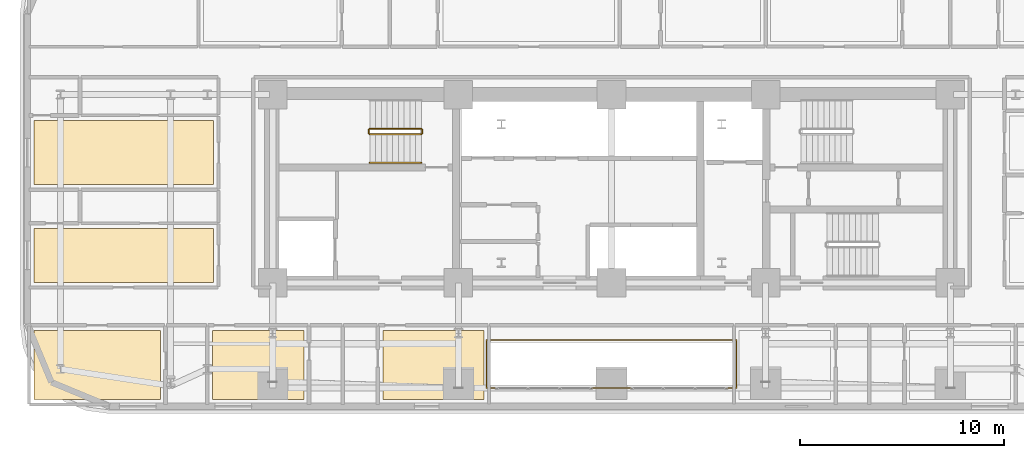
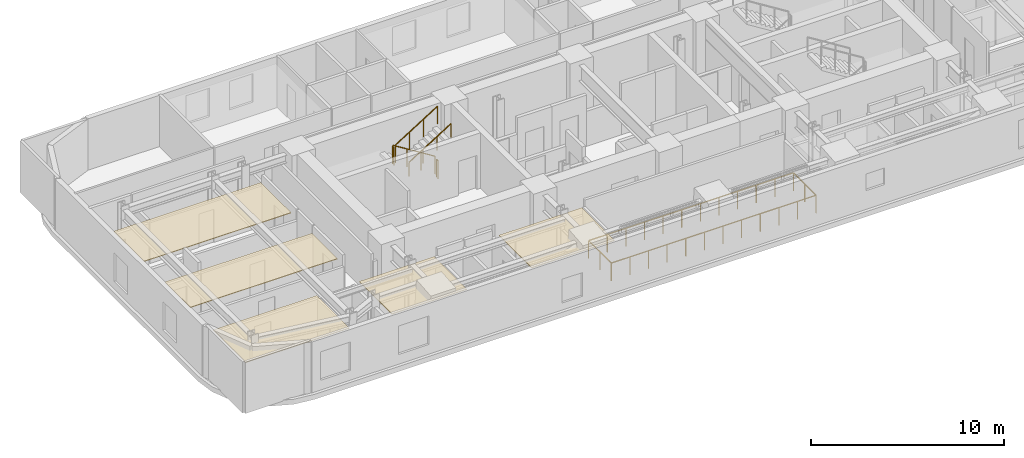
# One storey, part 13 of 15: 6 railings, 5 coverings.
"""IFC4 building model written with IfcOpenShell, lengths in metres."""

import ifcopenshell
import ifcopenshell.guid

model = None  # the IFC model being written
_history = None  # IfcOwnerHistory: only IFC2X3 demands one
_inside = {}  # id of a spatial element -> (the spatial element, [elements in it])
_under = {}  # id of a project, library or spatial element -> (it, [spatial elements below it])
_declared = {}  # id of a project -> (the project, [libraries it declares])
_typed = {}  # id of a type object -> (the type object, [elements of that type])
_made_of = {}  # id of a material, layer set ... -> (it, [elements and type objects made of it])


def new_model(schema):
    """Start an empty IFC model of exactly this schema.

    Asked for "IFC4X3", IfcOpenShell would pick the latest addendum, in which some entities
    have other attributes; the version numbers below select the first issue.
    IFC2X3 requires an IfcOwnerHistory on every rooted entity: one is made here for all.
    """
    global model, _history
    if schema == "IFC4X3":
        model = ifcopenshell.file(schema_version=(4, 3, 0, 0))
    else:
        model = ifcopenshell.file(schema=schema)
    _inside.clear()
    _under.clear()
    _declared.clear()
    _typed.clear()
    _made_of.clear()
    _history = None
    if model.schema == "IFC2X3":
        org = make("IfcOrganization", Name="unknown")
        user = make(
            "IfcPersonAndOrganization",
            ThePerson=make("IfcPerson", FamilyName="unknown"),
            TheOrganization=org,
        )
        app = make(
            "IfcApplication",
            ApplicationDeveloper=org,
            Version="unknown",
            ApplicationFullName="unknown",
            ApplicationIdentifier="unknown",
        )
        _history = make(
            "IfcOwnerHistory",
            OwningUser=user,
            OwningApplication=app,
            ChangeAction="ADDED",
            CreationDate=0,
        )
    return model


def make(cls, **values):
    """One entity of the class cls with the attributes given. An attribute that is None is left unset."""
    return model.create_entity(
        cls, **{name: value for name, value in values.items() if value is not None}
    )


def rooted(cls, **values):
    """An entity with a GlobalId (a new one), such as an element, a storey or a relation."""
    return make(cls, GlobalId=ifcopenshell.guid.new(), OwnerHistory=_history, **values)


def si_unit(unit_type, name, prefix=None):
    """IfcSIUnit, for example si_unit("LENGTHUNIT", "METRE", prefix="MILLI")."""
    return make("IfcSIUnit", UnitType=unit_type, Prefix=prefix, Name=name)


def assignment(units):
    """IfcUnitAssignment: the units of a project."""
    return None if units is None else make("IfcUnitAssignment", Units=units)


def point(xyz):
    """IfcCartesianPoint."""
    return None if xyz is None else make("IfcCartesianPoint", Coordinates=xyz)


def direction(xyz):
    """IfcDirection."""
    return None if xyz is None else make("IfcDirection", DirectionRatios=xyz)


def frame(location, z_axis=None, x_axis=None):
    """IfcAxis2Placement3D, a coordinate frame: its origin and axes. An axis left out is left unset."""
    return make(
        "IfcAxis2Placement3D",
        Location=point(location),
        Axis=direction(z_axis),
        RefDirection=direction(x_axis),
    )


def frame_2d(location, x_axis=None):
    """IfcAxis2Placement2D, a coordinate frame in the plane: its origin and x axis."""
    return make(
        "IfcAxis2Placement2D", Location=point(location), RefDirection=direction(x_axis)
    )


def origin():
    """The frame at (0, 0, 0) with its axes left unset."""
    return frame((0.0, 0.0, 0.0))


def origin_2d():
    """The frame at (0, 0) in the plane with its x axis left unset."""
    return frame_2d((0.0, 0.0))


def place(relative_to, where):
    """IfcLocalPlacement: puts the frame where relative to a parent placement (None: the world)."""
    return make(
        "IfcLocalPlacement", PlacementRelTo=relative_to, RelativePlacement=where
    )


def context(
    kind, dimensions, precision=None, world=None, true_north=None, identifier=None
):
    """IfcGeometricRepresentationContext, for example the 3D "Model" context."""
    return make(
        "IfcGeometricRepresentationContext",
        ContextIdentifier=identifier,
        ContextType=kind,
        CoordinateSpaceDimension=dimensions,
        Precision=precision,
        WorldCoordinateSystem=world,
        TrueNorth=true_north,
    )


def subcontext(parent, identifier, kind, view, scale=None):
    """IfcGeometricRepresentationSubContext, for example "Body" below "Model"."""
    return make(
        "IfcGeometricRepresentationSubContext",
        ContextIdentifier=identifier,
        ContextType=kind,
        ParentContext=parent,
        TargetScale=scale,
        TargetView=view,
    )


def project(units=None, contexts=None):
    """IfcProject with its units and contexts."""
    return rooted(
        "IfcProject",
        Name="project",
        RepresentationContexts=contexts,
        UnitsInContext=assignment(units),
    )


def spatial(cls, under=None, at=None, **own):
    """A site, building, storey or space (cls), placed at a placement, below another one or the project."""
    s = rooted(cls, ObjectPlacement=at, **own)
    if under is not None:
        _under.setdefault(under.id(), (under, []))[1].append(s)
    return s


def polyline(points):
    """IfcPolyline through the points."""
    return make("IfcPolyline", Points=[point(p) for p in points])


def profile(cls, at=None, kind="AREA", **sizes):
    """A parametric profile (cls). Its sizes go by their IFC names, for example OverallWidth=200.0."""
    return make(cls, ProfileType=kind, Position=at, **sizes)


def rectangle(**sizes):
    """IfcRectangleProfileDef."""
    return profile("IfcRectangleProfileDef", **sizes)


def outline(outer, holes=None, kind="AREA"):
    """IfcArbitraryClosedProfileDef: a profile drawn as a closed curve; with holes, ...WithVoids."""
    if holes is None:
        return make("IfcArbitraryClosedProfileDef", ProfileType=kind, OuterCurve=outer)
    return make(
        "IfcArbitraryProfileDefWithVoids",
        ProfileType=kind,
        OuterCurve=outer,
        InnerCurves=holes,
    )


def extrude(swept, where, along, depth):
    """IfcExtrudedAreaSolid: the profile swept, set in the frame where, extruded along a direction by depth."""
    return make(
        "IfcExtrudedAreaSolid",
        SweptArea=swept,
        Position=where,
        ExtrudedDirection=direction(along),
        Depth=depth,
    )


def shape(context_of_items, identifier, shape_type, items):
    """IfcShapeRepresentation: the items that make up one representation, for example the "Body"."""
    return make(
        "IfcShapeRepresentation",
        ContextOfItems=context_of_items,
        RepresentationIdentifier=identifier,
        RepresentationType=shape_type,
        Items=items,
    )


def material(Name=None, Category=None):
    """IfcMaterial."""
    return make("IfcMaterial", Name=Name, Category=Category)


def layer(
    of_material, thickness, ventilated=None, Name=None, Category=None, Priority=None
):
    """IfcMaterialLayer: one layer of a wall or slab, of a material (None: an air gap)."""
    return make(
        "IfcMaterialLayer",
        Material=of_material,
        LayerThickness=thickness,
        IsVentilated=ventilated,
        Name=Name,
        Category=Category,
        Priority=Priority,
    )


def layer_set(layers, Name=None):
    """IfcMaterialLayerSet."""
    return make("IfcMaterialLayerSet", MaterialLayers=layers, LayerSetName=Name)


def made_of(thing, what):
    """Note that an element or type object is made of a material, layer set ...; save() writes the relation."""
    if what is not None:
        _made_of.setdefault(what.id(), (what, []))[1].append(thing)
    return thing


def type_object(cls, material=None, **own):
    """A type object (cls), such as IfcWallType, which elements share."""
    return made_of(rooted(cls, **own), material)


def element(
    cls,
    number,
    at=None,
    inside=None,
    cuts=None,
    type_object=None,
    material=None,
    context=None,
    identifier="Body",
    shape_type=None,
    held_by="IfcProductDefinitionShape",
    body=None,
    shapes=None,
    **own,
):
    """One element of the class cls, such as IfcWall. Its Tag is "e" and its number.

    at: its placement. inside: the storey or other place that contains it. cuts: it is an
    opening in that element (IfcRelVoidsElement). A single representation is given by context,
    identifier, shape_type and body (its items); several are given by shapes. held_by: the class
    of the entity that holds the representations. save() writes the other relations.
    """
    e = rooted(cls, Tag="e%d" % number, ObjectPlacement=at, **own)
    if body is not None:
        shapes = [shape(context, identifier, shape_type, body)]
    if shapes is not None:
        e.Representation = make(held_by, Representations=shapes)
    if inside is not None:
        _inside.setdefault(inside.id(), (inside, []))[1].append(e)
    if cuts is not None:
        rooted(
            "IfcRelVoidsElement", RelatingBuildingElement=cuts, RelatedOpeningElement=e
        )
    if type_object is not None:
        _typed.setdefault(type_object.id(), (type_object, []))[1].append(e)
    return made_of(e, material)


def aggregate(whole, parts):
    """IfcRelAggregates: a whole, such as a stair, and the parts it consists of."""
    return rooted("IfcRelAggregates", RelatingObject=whole, RelatedObjects=parts)


def save(model, path):
    """Write the relations noted so far, then the file.

    IfcRelAggregates (storeys below a building ...), IfcRelContainedInSpatialStructure (elements
    in a storey), IfcRelDefinesByType, IfcRelAssociatesMaterial and IfcRelDeclares: one each for
    every whole, place, type object, material and project.
    """
    for whole, parts in _under.values():
        aggregate(whole, parts)
    for where, things in _inside.values():
        rooted(
            "IfcRelContainedInSpatialStructure",
            RelatedElements=things,
            RelatingStructure=where,
        )
    for kind, things in _typed.values():
        rooted("IfcRelDefinesByType", RelatedObjects=things, RelatingType=kind)
    for what, things in _made_of.values():
        rooted("IfcRelAssociatesMaterial", RelatedObjects=things, RelatingMaterial=what)
    for by, libraries in _declared.values():
        rooted("IfcRelDeclares", RelatingContext=by, RelatedDefinitions=libraries)
    model.write(path)


model = new_model("IFC4")

# Units and contexts
model_context = context("Model", 3, precision=1e-05, world=origin(), true_north=direction((0.0, 1.0)))
body_context = subcontext(model_context, "Body", "Model", "MODEL_VIEW")
ifc_project = project(units=[si_unit("LENGTHUNIT", "METRE"), si_unit("AREAUNIT", "SQUARE_METRE"), si_unit("VOLUMEUNIT", "CUBIC_METRE"), si_unit("PLANEANGLEUNIT", "RADIAN"), si_unit("MASSUNIT", "GRAM", prefix="KILO")], contexts=[model_context])

# Site, building, storey
site_placement = place(None, origin())
site = spatial("IfcSite", under=ifc_project, at=site_placement, CompositionType="ELEMENT")
building_placement = place(site_placement, origin())
building = spatial("IfcBuilding", under=site, at=building_placement, Name="Zarnavel Station Tower", CompositionType="ELEMENT")
storey_placement = place(building_placement, frame((0.0, 0.0, 36.0)))
storey = spatial("IfcBuildingStorey", under=building, at=storey_placement, Name="L09", CompositionType="ELEMENT", Elevation=36.0)

# Coverings
ifc_material_1 = material(Name="Perforated Gypsum and Mineral-Wool Acoustic Ceiling", Category="concrete")
ifc_layer = layer(ifc_material_1, 0.0400390625)
ifc_layer_set = layer_set([ifc_layer], Name="COV_CEIL_ACOUSTIC")
covering_type = type_object("IfcCoveringType", Name="COV_CEIL_ACOUSTIC", PredefinedType="CEILING", material=ifc_layer_set)
covering_1_placement = place(storey_placement, frame((0.0, 0.0, 2.919921875)))
element("IfcCovering", 1, at=covering_1_placement, inside=storey, type_object=covering_type, Name="L09 FNW1R Acoustic Ceiling", PredefinedType="CEILING", context=body_context, shape_type="SweptSolid", body=[
    extrude(outline(polyline([(0.510009765625, 27.85009765625), (9.300048828125, 27.85009765625), (9.300048828125, 30.490966796875), (0.510009765625, 30.490966796875), (0.510009765625, 27.85009765625)])), origin(), (0.0, 0.0, 1.0), 0.0400390625),
])
covering_2_placement = place(storey_placement, frame((0.0, 0.0, 2.919921875)))
element("IfcCovering", 2, at=covering_2_placement, inside=storey, type_object=covering_type, Name="L09 FNW2R Acoustic Ceiling", PredefinedType="CEILING", context=body_context, shape_type="SweptSolid", body=[
    extrude(outline(polyline([(0.510009765625, 32.64111328125), (9.300048828125, 32.64111328125), (9.300048828125, 35.777099609375), (0.510009765625, 35.777099609375), (0.510009765625, 32.64111328125)])), origin(), (0.0, 0.0, 1.0), 0.0400390625),
])
covering_3_placement = place(storey_placement, frame((0.0, 0.0, 2.919921875)))
element("IfcCovering", 3, at=covering_3_placement, inside=storey, type_object=covering_type, Name="L09 HW1R Acoustic Ceiling", PredefinedType="CEILING", context=body_context, shape_type="SweptSolid", body=[
    extrude(outline(polyline([(0.510009765625, 22.110107421875), (6.699951171875, 22.110107421875), (6.699951171875, 25.5), (0.510009765625, 25.5), (0.510009765625, 22.110107421875)])), origin(), (0.0, 0.0, 1.0), 0.0400390625),
])
covering_4_placement = place(storey_placement, frame((0.0, 0.0, 2.919921875)))
element("IfcCovering", 4, at=covering_4_placement, inside=storey, type_object=covering_type, Name="L09 HW2R Acoustic Ceiling", PredefinedType="CEILING", context=body_context, shape_type="SweptSolid", body=[
    extrude(outline(polyline([(9.25, 22.110107421875), (13.72900390625, 22.110107421875), (13.72900390625, 25.5), (9.25, 25.5), (9.25, 22.110107421875)])), origin(), (0.0, 0.0, 1.0), 0.0400390625),
])
covering_5_placement = place(storey_placement, frame((0.0, 0.0, 2.919921875)))
element("IfcCovering", 5, at=covering_5_placement, inside=storey, type_object=covering_type, Name="L09 HW3R Acoustic Ceiling", PredefinedType="CEILING", context=body_context, shape_type="SweptSolid", body=[
    extrude(outline(polyline([(17.60009765625, 22.110107421875), (22.550048828125, 22.110107421875), (22.550048828125, 25.5), (17.60009765625, 25.5), (17.60009765625, 22.110107421875)])), origin(), (0.0, 0.0, 1.0), 0.0400390625),
])

# Railings
ifc_material_2 = material(Name="Painted Steel S355J2 Balustrade", Category="steel")
railing_type_1 = type_object("IfcRailingType", Name="GR_INT_1150", PredefinedType="GUARDRAIL", material=ifc_material_2)
railing_1_placement = place(storey_placement, frame((19.47998046875, 35.3701171875, 0.175048828125)))
element("IfcRailing", 6, at=railing_1_placement, inside=storey, type_object=railing_type_1, Name="L09 ST1 stair guard 1", PredefinedType="GUARDRAIL", context=body_context, shape_type="SweptSolid", body=[
    extrude(rectangle(XDim=0.048095703125, YDim=0.048095703125, at=origin_2d()), frame((-0.001708984375, 0.0, 1.126953125), z_axis=(-0.848007534815, 0.0, 0.529984170421), x_axis=(0.0, -1.0, 0.0)), (0.0, 0.0, 1.0), 2.9677734375),
    extrude(rectangle(XDim=0.0419921875, YDim=0.0419921875, at=origin_2d()), origin(), (0.0, 0.0, 1.0), 1.101806640625),
    extrude(rectangle(XDim=0.0419921875, YDim=0.0419921875, at=origin_2d()), frame((-0.840087890625, 0.0, 0.52490234375)), (0.0, 0.0, 1.0), 1.101806640625),
    extrude(rectangle(XDim=0.0419921875, YDim=0.0419921875, at=origin_2d()), frame((-1.679931640625, 0.0, 1.050048828125)), (0.0, 0.0, 1.0), 1.101806640625),
    extrude(rectangle(XDim=0.0419921875, YDim=0.0419921875, at=origin_2d()), frame((-2.52001953125, 0.0, 1.574951171875)), (0.0, 0.0, 1.0), 1.101806640625),
])
railing_2_placement = place(storey_placement, frame((16.909912109375, 35.320068359375, 1.75)))
element("IfcRailing", 7, at=railing_2_placement, inside=storey, type_object=railing_type_1, Name="L09 ST1 stair guard 2", PredefinedType="GUARDRAIL", context=body_context, shape_type="SweptSolid", body=[
    extrude(rectangle(XDim=0.048095703125, YDim=0.048095703125, at=origin_2d()), frame((0.0, -0.001953125, 1.1259765625), z_axis=(0.0, -1.0, 0.0), x_axis=(1.0, 0.0, 0.0)), (0.0, 0.0, 1.0), 0.15625),
    extrude(rectangle(XDim=0.0419921875, YDim=0.0419921875, at=origin_2d()), origin(), (0.0, 0.0, 1.0), 1.101806640625),
    extrude(rectangle(XDim=0.0419921875, YDim=0.0419921875, at=origin_2d()), frame((0.0, -0.16015625, 0.0)), (0.0, 0.0, 1.0), 1.101806640625),
])
railing_3_placement = place(storey_placement, frame((16.9599609375, 35.110107421875, 1.925048828125)))
element("IfcRailing", 8, at=railing_3_placement, inside=storey, type_object=railing_type_1, Name="L09 ST1 stair guard 3", PredefinedType="GUARDRAIL", context=body_context, shape_type="SweptSolid", body=[
    extrude(rectangle(XDim=0.048095703125, YDim=0.048095703125, at=origin_2d()), frame((0.001708984375, 0.0, 1.126953125), z_axis=(0.848007534815, 0.0, 0.529984170421), x_axis=(0.0, 1.0, 0.0)), (0.0, 0.0, 1.0), 2.9677734375),
    extrude(rectangle(XDim=0.0419921875, YDim=0.0419921875, at=origin_2d()), origin(), (0.0, 0.0, 1.0), 1.101806640625),
    extrude(rectangle(XDim=0.0419921875, YDim=0.0419921875, at=origin_2d()), frame((0.840087890625, 0.0, 0.52490234375)), (0.0, 0.0, 1.0), 1.101806640625),
    extrude(rectangle(XDim=0.0419921875, YDim=0.0419921875, at=origin_2d()), frame((1.679931640625, 0.0, 1.050048828125)), (0.0, 0.0, 1.0), 1.101806640625),
    extrude(rectangle(XDim=0.0419921875, YDim=0.0419921875, at=origin_2d()), frame((2.52001953125, 0.0, 1.574951171875)), (0.0, 0.0, 1.0), 1.101806640625),
])
railing_4_placement = place(storey_placement, frame((19.530029296875, 35.320068359375, 0.0)))
element("IfcRailing", 9, at=railing_4_placement, inside=storey, type_object=railing_type_1, Name="L09 ST1 stair guard 4", PredefinedType="GUARDRAIL", context=body_context, shape_type="SweptSolid", body=[
    extrude(rectangle(XDim=0.048095703125, YDim=0.048095703125, at=origin_2d()), frame((0.0, -0.001953125, 1.1259765625), z_axis=(0.0, -1.0, 0.0), x_axis=(1.0, 0.0, 0.0)), (0.0, 0.0, 1.0), 0.15625),
    extrude(rectangle(XDim=0.0419921875, YDim=0.0419921875, at=origin_2d()), origin(), (0.0, 0.0, 1.0), 1.101806640625),
    extrude(rectangle(XDim=0.0419921875, YDim=0.0419921875, at=origin_2d()), frame((0.0, -0.16015625, 0.0)), (0.0, 0.0, 1.0), 1.101806640625),
])
railing_5_placement = place(storey_placement, frame((22.679931640625, 22.679931640625, 0.0)))
element("IfcRailing", 10, at=railing_5_placement, inside=storey, type_object=railing_type_1, Name="L09 Atrium Void Guardrail", PredefinedType="GUARDRAIL", context=body_context, shape_type="SweptSolid", body=[
    extrude(rectangle(XDim=0.048095703125, YDim=0.048095703125, at=origin_2d()), frame((0.001953125, 0.0, 1.1259765625), z_axis=(1.0, 0.0, 0.0), x_axis=(0.0, 1.0, 0.0)), (0.0, 0.0, 1.0), 12.236083984375),
    extrude(rectangle(XDim=0.048095703125, YDim=0.048095703125, at=origin_2d()), frame((12.239990234375, 0.001953125, 1.1259765625), z_axis=(0.0, 1.0, 0.0), x_axis=(-1.0, 0.0, 0.0)), (0.0, 0.0, 1.0), 2.336181640625),
    extrude(rectangle(XDim=0.048095703125, YDim=0.048095703125, at=origin_2d()), frame((12.238037109375, 2.340087890625, 1.1259765625), z_axis=(-1.0, 0.0, 0.0), x_axis=(0.0, -1.0, 0.0)), (0.0, 0.0, 1.0), 12.236083984375),
    extrude(rectangle(XDim=0.048095703125, YDim=0.048095703125, at=origin_2d()), frame((0.0, 2.338134765625, 1.1259765625), z_axis=(0.0, -1.0, 0.0), x_axis=(1.0, 0.0, 0.0)), (0.0, 0.0, 1.0), 2.336181640625),
    extrude(rectangle(XDim=0.0419921875, YDim=0.0419921875, at=origin_2d()), origin(), (0.0, 0.0, 1.0), 1.101806640625),
    extrude(rectangle(XDim=0.0419921875, YDim=0.0419921875, at=origin_2d()), frame((1.11279296875, 0.0, 0.0)), (0.0, 0.0, 1.0), 1.101806640625),
    extrude(rectangle(XDim=0.0419921875, YDim=0.0419921875, at=origin_2d()), frame((2.225341796875, 0.0, 0.0)), (0.0, 0.0, 1.0), 1.101806640625),
    extrude(rectangle(XDim=0.0419921875, YDim=0.0419921875, at=origin_2d()), frame((3.338134765625, 0.0, 0.0)), (0.0, 0.0, 1.0), 1.101806640625),
    extrude(rectangle(XDim=0.0419921875, YDim=0.0419921875, at=origin_2d()), frame((4.450927734375, 0.0, 0.0)), (0.0, 0.0, 1.0), 1.101806640625),
    extrude(rectangle(XDim=0.0419921875, YDim=0.0419921875, at=origin_2d()), frame((5.563720703125, 0.0, 0.0)), (0.0, 0.0, 1.0), 1.101806640625),
    extrude(rectangle(XDim=0.0419921875, YDim=0.0419921875, at=origin_2d()), frame((6.67626953125, 0.0, 0.0)), (0.0, 0.0, 1.0), 1.101806640625),
    extrude(rectangle(XDim=0.0419921875, YDim=0.0419921875, at=origin_2d()), frame((7.7890625, 0.0, 0.0)), (0.0, 0.0, 1.0), 1.101806640625),
    extrude(rectangle(XDim=0.0419921875, YDim=0.0419921875, at=origin_2d()), frame((8.90185546875, 0.0, 0.0)), (0.0, 0.0, 1.0), 1.101806640625),
    extrude(rectangle(XDim=0.0419921875, YDim=0.0419921875, at=origin_2d()), frame((10.0146484375, 0.0, 0.0)), (0.0, 0.0, 1.0), 1.101806640625),
    extrude(rectangle(XDim=0.0419921875, YDim=0.0419921875, at=origin_2d()), frame((11.127197265625, 0.0, 0.0)), (0.0, 0.0, 1.0), 1.101806640625),
    extrude(rectangle(XDim=0.0419921875, YDim=0.0419921875, at=origin_2d()), frame((12.239990234375, 0.0, 0.0)), (0.0, 0.0, 1.0), 1.101806640625),
    extrude(rectangle(XDim=0.0419921875, YDim=0.0419921875, at=origin_2d()), frame((12.239990234375, 1.169921875, 0.0)), (0.0, 0.0, 1.0), 1.101806640625),
    extrude(rectangle(XDim=0.0419921875, YDim=0.0419921875, at=origin_2d()), frame((12.239990234375, 2.340087890625, 0.0)), (0.0, 0.0, 1.0), 1.101806640625),
    extrude(rectangle(XDim=0.0419921875, YDim=0.0419921875, at=origin_2d()), frame((11.127197265625, 2.340087890625, 0.0)), (0.0, 0.0, 1.0), 1.101806640625),
    extrude(rectangle(XDim=0.0419921875, YDim=0.0419921875, at=origin_2d()), frame((10.0146484375, 2.340087890625, 0.0)), (0.0, 0.0, 1.0), 1.101806640625),
    extrude(rectangle(XDim=0.0419921875, YDim=0.0419921875, at=origin_2d()), frame((8.90185546875, 2.340087890625, 0.0)), (0.0, 0.0, 1.0), 1.101806640625),
    extrude(rectangle(XDim=0.0419921875, YDim=0.0419921875, at=origin_2d()), frame((7.7890625, 2.340087890625, 0.0)), (0.0, 0.0, 1.0), 1.101806640625),
    extrude(rectangle(XDim=0.0419921875, YDim=0.0419921875, at=origin_2d()), frame((6.67626953125, 2.340087890625, 0.0)), (0.0, 0.0, 1.0), 1.101806640625),
    extrude(rectangle(XDim=0.0419921875, YDim=0.0419921875, at=origin_2d()), frame((5.563720703125, 2.340087890625, 0.0)), (0.0, 0.0, 1.0), 1.101806640625),
    extrude(rectangle(XDim=0.0419921875, YDim=0.0419921875, at=origin_2d()), frame((4.450927734375, 2.340087890625, 0.0)), (0.0, 0.0, 1.0), 1.101806640625),
    extrude(rectangle(XDim=0.0419921875, YDim=0.0419921875, at=origin_2d()), frame((3.338134765625, 2.340087890625, 0.0)), (0.0, 0.0, 1.0), 1.101806640625),
    extrude(rectangle(XDim=0.0419921875, YDim=0.0419921875, at=origin_2d()), frame((2.225341796875, 2.340087890625, 0.0)), (0.0, 0.0, 1.0), 1.101806640625),
    extrude(rectangle(XDim=0.0419921875, YDim=0.0419921875, at=origin_2d()), frame((1.11279296875, 2.340087890625, 0.0)), (0.0, 0.0, 1.0), 1.101806640625),
    extrude(rectangle(XDim=0.0419921875, YDim=0.0419921875, at=origin_2d()), frame((0.0, 2.340087890625, 0.0)), (0.0, 0.0, 1.0), 1.101806640625),
    extrude(rectangle(XDim=0.0419921875, YDim=0.0419921875, at=origin_2d()), frame((0.0, 1.169921875, 0.0)), (0.0, 0.0, 1.0), 1.101806640625),
])
ifc_material_3 = material(Name="Brushed Stainless Steel S355J2 Handrail", Category="steel")
railing_type_2 = type_object("IfcRailingType", Name="HR_STAIR_900", PredefinedType="HANDRAIL", material=ifc_material_3)
railing_6_placement = place(storey_placement, frame((16.9599609375, 33.7099609375, 1.925048828125)))
element("IfcRailing", 11, at=railing_6_placement, inside=storey, type_object=railing_type_2, Name="L09 ST1 stair handrail 2", PredefinedType="HANDRAIL", context=body_context, shape_type="SweptSolid", body=[
    extrude(rectangle(XDim=0.048095703125, YDim=0.048095703125, at=origin_2d()), frame((0.001708984375, 0.0, 0.876953125), z_axis=(0.848007534815, 0.0, 0.529984170421), x_axis=(0.0, 1.0, 0.0)), (0.0, 0.0, 1.0), 2.9677734375),
    extrude(rectangle(XDim=0.0419921875, YDim=0.0419921875, at=origin_2d()), origin(), (0.0, 0.0, 1.0), 0.851806640625),
    extrude(rectangle(XDim=0.0419921875, YDim=0.0419921875, at=origin_2d()), frame((0.840087890625, 0.0, 0.52490234375)), (0.0, 0.0, 1.0), 0.851806640625),
    extrude(rectangle(XDim=0.0419921875, YDim=0.0419921875, at=origin_2d()), frame((1.679931640625, 0.0, 1.050048828125)), (0.0, 0.0, 1.0), 0.851806640625),
    extrude(rectangle(XDim=0.0419921875, YDim=0.0419921875, at=origin_2d()), frame((2.52001953125, 0.0, 1.574951171875)), (0.0, 0.0, 1.0), 0.851806640625),
])

save(model, "model.ifc")
